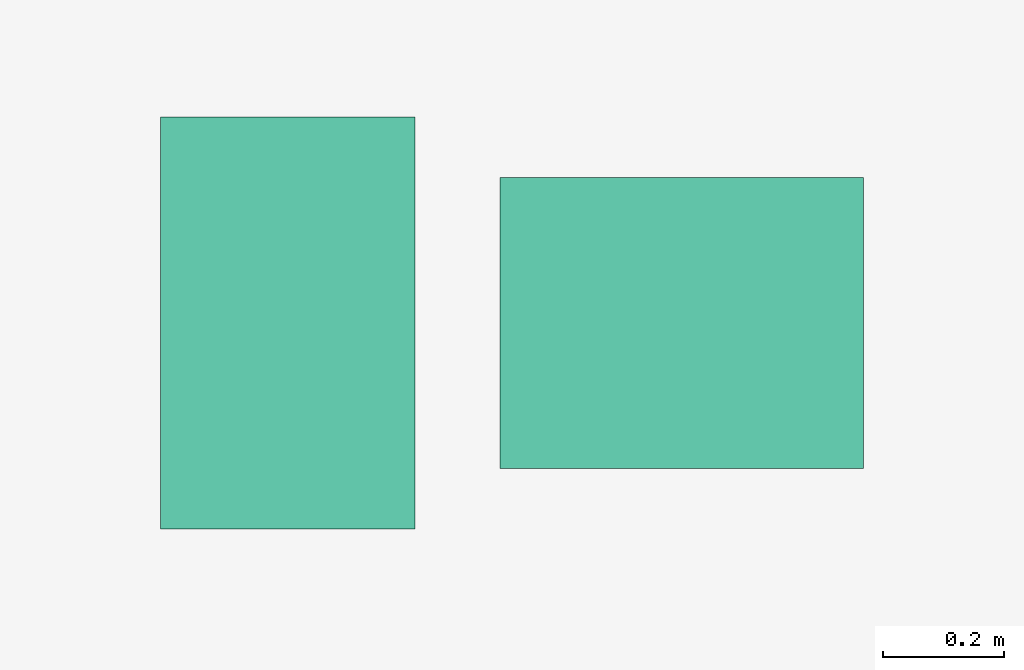
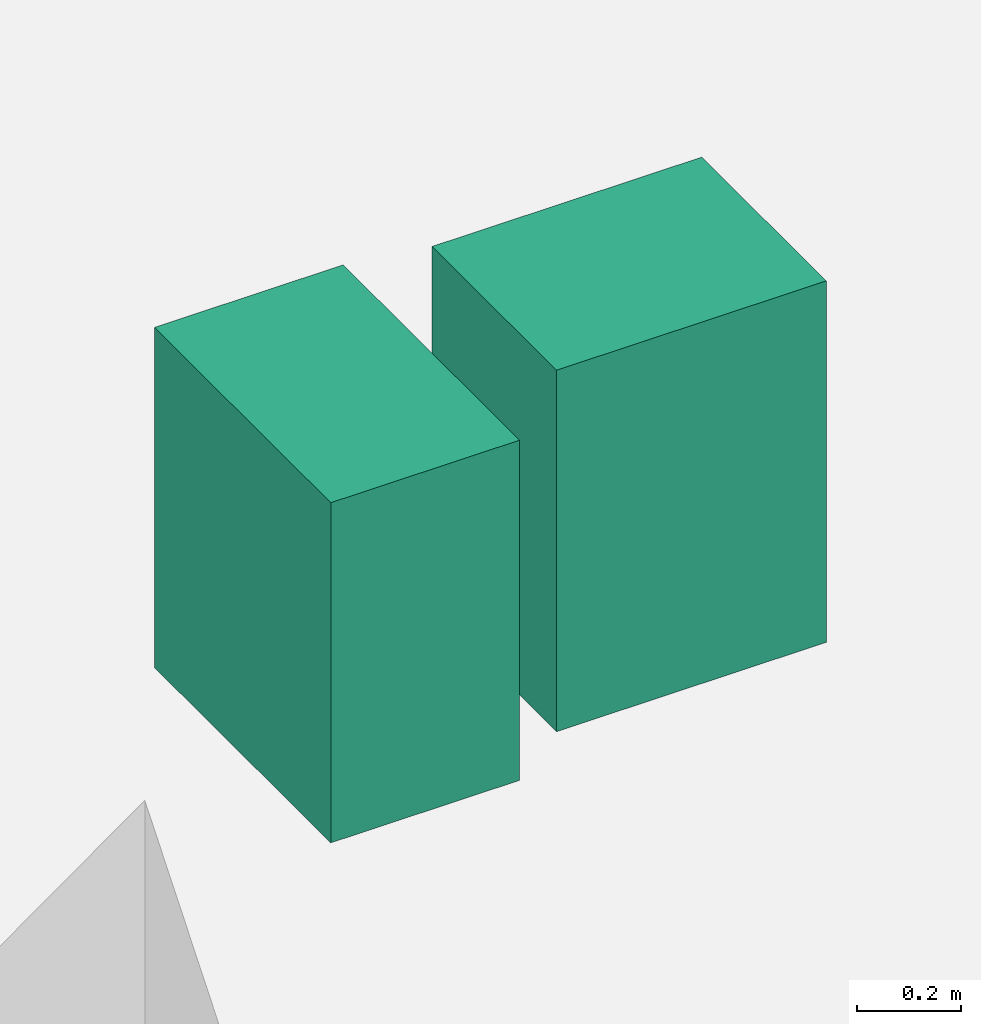
# One storey, part 27 of 28: 2 sanitary terminals.
"""IFC4 building model written with IfcOpenShell, lengths in metres."""

from ifc_helpers import new_model, si_unit, direction, frame, origin, origin_2d, place, context, subcontext, project, spatial, rectangle, extrude, source, transform, mapped, material, type_object, type_shapes, element, save


model = new_model("IFC4")

# Units and contexts
model_context = context("Model", 3, precision=1e-05, world=origin(), true_north=direction((0.0, 1.0)))
body_context = subcontext(model_context, "Body", "Model", "MODEL_VIEW")
ifc_project = project(units=[si_unit("LENGTHUNIT", "METRE"), si_unit("AREAUNIT", "SQUARE_METRE"), si_unit("VOLUMEUNIT", "CUBIC_METRE"), si_unit("PLANEANGLEUNIT", "RADIAN"), si_unit("MASSUNIT", "GRAM", prefix="KILO")], contexts=[model_context])

# Site, building, storey
site_placement = place(None, origin())
site = spatial("IfcSite", under=ifc_project, at=site_placement, CompositionType="ELEMENT")
building_placement = place(site_placement, origin())
building = spatial("IfcBuilding", under=site, at=building_placement, Name="Krantzveldt Concourse Tower", CompositionType="ELEMENT")
storey_placement = place(building_placement, origin())
storey = spatial("IfcBuildingStorey", under=building, at=storey_placement, Name="L00", CompositionType="ELEMENT", Elevation=0.0)

# Sanitary terminals
ifc_material = material(Name="Vitreous china", Category="ceramic")
sanitary_terminal_type_1 = type_object("IfcSanitaryTerminalType", Name="SAN-WC-SUITE", PredefinedType="TOILETPAN", material=ifc_material)
shared_shape_1 = source(origin(), body_context, "Body", "SweptSolid", [
    extrude(rectangle(XDim=0.419921875, YDim=0.679931640625, at=origin_2d()), origin(), (0.0, 0.0, 1.0), 0.800048828125),
])
type_shapes(sanitary_terminal_type_1, [shared_shape_1])
sanitary_terminal_1_placement = place(storey_placement, frame((12.97509765625, 38.875, 0.0), z_axis=(0.0, 0.0, 1.0), x_axis=(1.0, 0.0, 0.0)))
element("IfcSanitaryTerminal", 1, at=sanitary_terminal_1_placement, inside=storey, type_object=sanitary_terminal_type_1, Name="WC-SP-L00-WCA", PredefinedType="TOILETPAN", context=body_context, shape_type="MappedRepresentation", body=[
    mapped(shared_shape_1, transform((0.0, 0.0, 0.0), x_axis=(1.0, 0.0, 0.0), y_axis=(0.0, 1.0, 0.0), z_axis=(0.0, 0.0, 1.0), scale=1.0)),
])
sanitary_terminal_type_2 = type_object("IfcSanitaryTerminalType", Name="SAN-BASIN-600", PredefinedType="WASHHANDBASIN", material=ifc_material)
shared_shape_2 = source(origin(), body_context, "Body", "SweptSolid", [
    extrude(rectangle(XDim=0.60009765625, YDim=0.47998046875, at=origin_2d()), origin(), (0.0, 0.0, 1.0), 0.85009765625),
])
type_shapes(sanitary_terminal_type_2, [shared_shape_2])
sanitary_terminal_2_placement = place(storey_placement, frame((13.625, 38.875, 0.0048828125), z_axis=(0.0, 0.0, 1.0), x_axis=(1.0, 0.0, 0.0)))
element("IfcSanitaryTerminal", 2, at=sanitary_terminal_2_placement, inside=storey, type_object=sanitary_terminal_type_2, Name="BSN-SP-L00-WCA", PredefinedType="WASHHANDBASIN", context=body_context, shape_type="MappedRepresentation", body=[
    mapped(shared_shape_2, transform((0.0, 0.0, 0.0), x_axis=(1.0, 0.0, 0.0), y_axis=(0.0, 1.0, 0.0), z_axis=(0.0, 0.0, 1.0), scale=1.0)),
])

save(model, "model.ifc")
